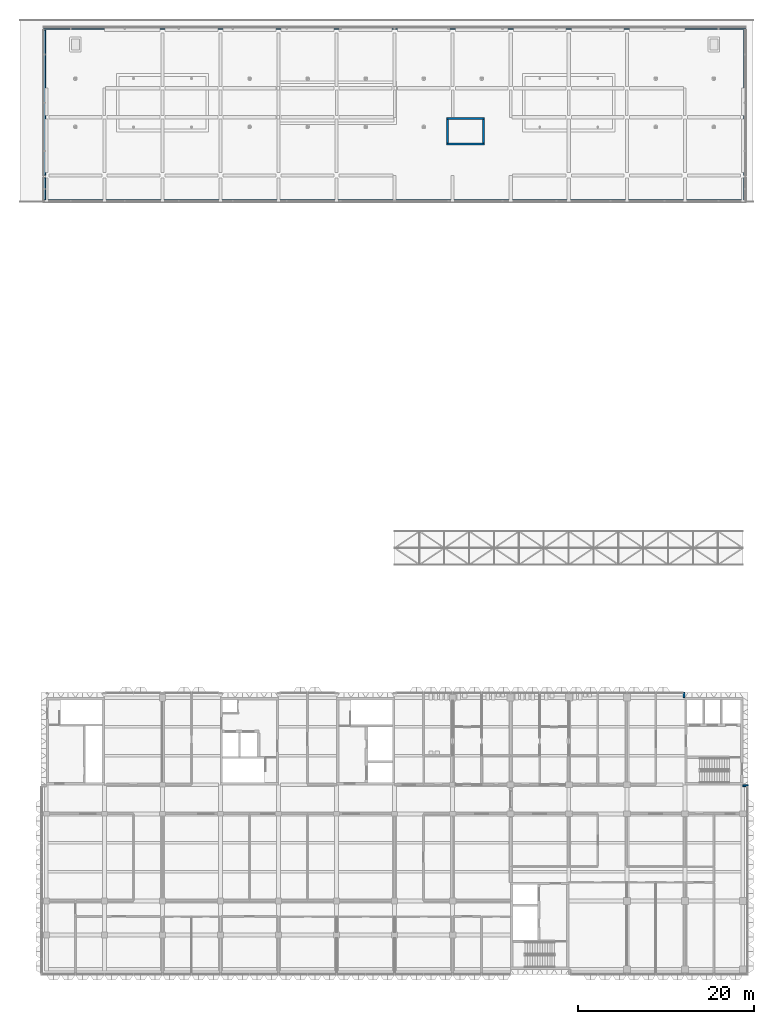
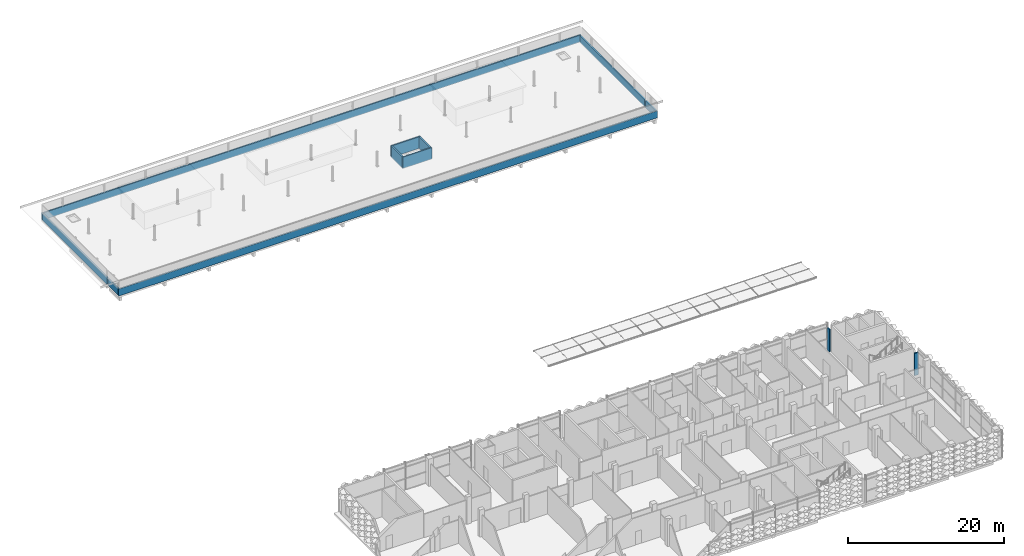
# One storey, part 25 of 61: 12 walls.
"""IFC4 building model written with IfcOpenShell, lengths in metres."""

from ifc_helpers import new_model, si_unit, direction, frame, frame_2d, origin, place, context, subcontext, project, spatial, rectangle, extrude, material, layer, layer_set, type_object, element, save


model = new_model("IFC4")

# Units and contexts
model_context = context("Model", 3, precision=1e-05, world=origin(), true_north=direction((0.0, 1.0)))
body_context = subcontext(model_context, "Body", "Model", "MODEL_VIEW")
ifc_project = project(units=[si_unit("LENGTHUNIT", "METRE"), si_unit("AREAUNIT", "SQUARE_METRE"), si_unit("VOLUMEUNIT", "CUBIC_METRE"), si_unit("PLANEANGLEUNIT", "RADIAN"), si_unit("MASSUNIT", "GRAM", prefix="KILO")], contexts=[model_context])

# Site, building, storey
site_placement = place(None, origin())
site = spatial("IfcSite", under=ifc_project, at=site_placement, CompositionType="ELEMENT")
building_placement = place(site_placement, origin())
building = spatial("IfcBuilding", under=site, at=building_placement, Name="Lantern Court Research Institute", CompositionType="ELEMENT")
storey_placement = place(building_placement, frame((0.0, 0.0, 23.39990234375)))
storey = spatial("IfcBuildingStorey", under=building, at=storey_placement, Name="L05", CompositionType="ELEMENT", Elevation=23.39990234375)

# Walls
ifc_material_1 = material(Name="Concrete C30/37", Category="concrete")
ifc_layer_1 = layer(ifc_material_1, 0.199951171875)
ifc_layer_set_1 = layer_set([ifc_layer_1], Name="Concrete C30/37")
wall_type_1 = type_object("IfcWallType", Name="Parapet 200 concrete upstand", PredefinedType="PARAPET", material=ifc_layer_set_1)
wall_1_placement = place(storey_placement, frame((-0.199951171875, 99.0, 0.0), z_axis=(0.0, 0.0, 1.0), x_axis=(0.0, -1.0, 0.0)))
element("IfcWall", 1, at=wall_1_placement, inside=storey, type_object=wall_type_1, Name="Parapet L05 Write-up and Seminar Wing 1", PredefinedType="PARAPET", context=body_context, shape_type="SweptSolid", body=[
    extrude(rectangle(XDim=16.5, YDim=0.199951171875, at=frame_2d((8.25, 0.0))), origin(), (0.0, 0.0, 1.0), 1.10009765625),
])
wall_2_placement = place(storey_placement, frame((-0.199951171875, 82.199951171875, 0.0), z_axis=(0.0, 0.0, 1.0), x_axis=(0.0, -1.0, 0.0)))
element("IfcWall", 2, at=wall_2_placement, inside=storey, type_object=wall_type_1, Name="Parapet L05 Write-up and Seminar Wing 3", PredefinedType="PARAPET", context=body_context, shape_type="SweptSolid", body=[
    extrude(rectangle(XDim=2.5, YDim=0.199951171875, at=frame_2d((1.25, 0.0))), origin(), (0.0, 0.0, 1.0), 1.10009765625),
])
wall_3_placement = place(storey_placement, frame((-0.300048828125, 79.60009765625, 0.0), z_axis=(0.0, 0.0, 1.0), x_axis=(1.0, 0.0, 0.0)))
element("IfcWall", 3, at=wall_3_placement, inside=storey, type_object=wall_type_1, Name="Parapet L05 Write-up and Seminar Wing 4", PredefinedType="PARAPET", context=body_context, shape_type="SweptSolid", body=[
    extrude(rectangle(XDim=79.800048828125, YDim=0.199951171875, at=frame_2d((39.89990234375, 0.0))), origin(), (0.0, 0.0, 1.0), 1.10009765625),
])
wall_4_placement = place(storey_placement, frame((79.39990234375, 79.699951171875, 0.0), z_axis=(0.0, 0.0, 1.0), x_axis=(0.0, 1.0, 0.0)))
element("IfcWall", 4, at=wall_4_placement, inside=storey, type_object=wall_type_1, Name="Parapet L05 Write-up and Seminar Wing 5", PredefinedType="PARAPET", context=body_context, shape_type="SweptSolid", body=[
    extrude(rectangle(XDim=2.5, YDim=0.199951171875, at=frame_2d((1.25, 0.0))), origin(), (0.0, 0.0, 1.0), 1.10009765625),
])
wall_5_placement = place(storey_placement, frame((79.39990234375, 82.5, 0.0), z_axis=(0.0, 0.0, 1.0), x_axis=(0.0, 1.0, 0.0)))
element("IfcWall", 5, at=wall_5_placement, inside=storey, type_object=wall_type_1, Name="Parapet L05 Write-up and Seminar Wing 7", PredefinedType="PARAPET", context=body_context, shape_type="SweptSolid", body=[
    extrude(rectangle(XDim=16.5, YDim=0.199951171875, at=frame_2d((8.25, 0.0))), origin(), (0.0, 0.0, 1.0), 1.10009765625),
])
wall_6_placement = place(storey_placement, frame((79.5, 99.199951171875, 0.0), z_axis=(0.0, 0.0, 1.0), x_axis=(-1.0, 0.0, 0.0)))
element("IfcWall", 6, at=wall_6_placement, inside=storey, type_object=wall_type_1, Name="Parapet L05 Write-up and Seminar Wing 9", PredefinedType="PARAPET", context=body_context, shape_type="SweptSolid", body=[
    extrude(rectangle(XDim=79.800048828125, YDim=0.199951171875, at=frame_2d((39.89990234375, 0.0))), origin(), (0.0, 0.0, 1.0), 1.10009765625),
])
ifc_material_2 = material(Name="Concrete C40/50", Category="concrete")
ifc_layer_2 = layer(ifc_material_2, 0.199951171875)
ifc_layer_set_2 = layer_set([ifc_layer_2], Name="Concrete C40/50")
wall_type_2 = type_object("IfcWallType", Name="RC lift overrun wall 200", PredefinedType="SHEAR", material=ifc_layer_set_2)
for number, where, z_axis, x_axis, name in (
    (7, (45.5, 86.050048828125, 0.0), (0.0, 0.0, 1.0), (1.0, 0.0, 0.0), "Lift overrun wall of core WC-M (south)"),
    (8, (45.5, 88.949951171875, 0.0), (0.0, 0.0, 1.0), (1.0, 0.0, 0.0), "Lift overrun wall of core WC-M (north)"),
):
    element("IfcWall", number, at=place(storey_placement, frame(where, z_axis=z_axis, x_axis=x_axis)), inside=storey, type_object=wall_type_2, Name=name, PredefinedType="SHEAR", context=body_context, shape_type="SweptSolid", body=[
        extrude(rectangle(XDim=4.300048828125, YDim=0.199951171875, at=frame_2d((2.14990234375, 0.0))), origin(), (0.0, 0.0, 1.0), 1.800048828125),
    ])
for number, where, z_axis, x_axis, name in (
    (9, (45.60009765625, 86.14990234375, 0.0), (0.0, 0.0, 1.0), (0.0, 1.0, 0.0), "Lift overrun wall of core WC-M (west)"),
    (10, (49.699951171875, 86.14990234375, 0.0), (0.0, 0.0, 1.0), (0.0, 1.0, 0.0), "Lift overrun wall of core WC-M (east)"),
):
    element("IfcWall", number, at=place(storey_placement, frame(where, z_axis=z_axis, x_axis=x_axis)), inside=storey, type_object=wall_type_2, Name=name, PredefinedType="SHEAR", context=body_context, shape_type="SweptSolid", body=[
        extrude(rectangle(XDim=2.7001953125, YDim=0.199951171875, at=frame_2d((1.35009765625, 0.0))), origin(), (0.0, 0.0, 1.0), 1.800048828125),
    ])
ifc_material_3 = material(Name="Concrete C40/50", Category="concrete")
ifc_layer_3 = layer(ifc_material_3, 0.199951171875)
ifc_layer_set_3 = layer_set([ifc_layer_3], Name="Concrete C40/50")
wall_type_3 = type_object("IfcWallType", Name="Return wall 200 concrete EI 120 aluminium faced", PredefinedType="STANDARD", material=ifc_layer_set_3)
wall_7_placement = place(storey_placement, frame((79.199951171875, 13.10009765625, 0.0), z_axis=(0.0, 0.0, 1.0), x_axis=(1.0, 0.0, 0.0)))
element("IfcWall", 11, at=wall_7_placement, inside=storey, type_object=wall_type_3, Name="Core return wall 52", PredefinedType="STANDARD", context=body_context, shape_type="SweptSolid", body=[
    extrude(rectangle(XDim=0.60009765625, YDim=0.199951171875, at=frame_2d((0.300048828125, 0.0))), origin(), (0.0, 0.0, 1.0), 3.5),
])
wall_8_placement = place(storey_placement, frame((72.5, 23.10009765625, 0.0), z_axis=(0.0, 0.0, 1.0), x_axis=(0.0, 1.0, 0.0)))
element("IfcWall", 12, at=wall_8_placement, inside=storey, type_object=wall_type_3, Name="Core return wall 53", PredefinedType="STANDARD", context=body_context, shape_type="SweptSolid", body=[
    extrude(rectangle(XDim=0.599853515625, YDim=0.199951171875, at=frame_2d((0.2998046875, 0.0))), origin(), (0.0, 0.0, 1.0), 3.5),
])

save(model, "model.ifc")
